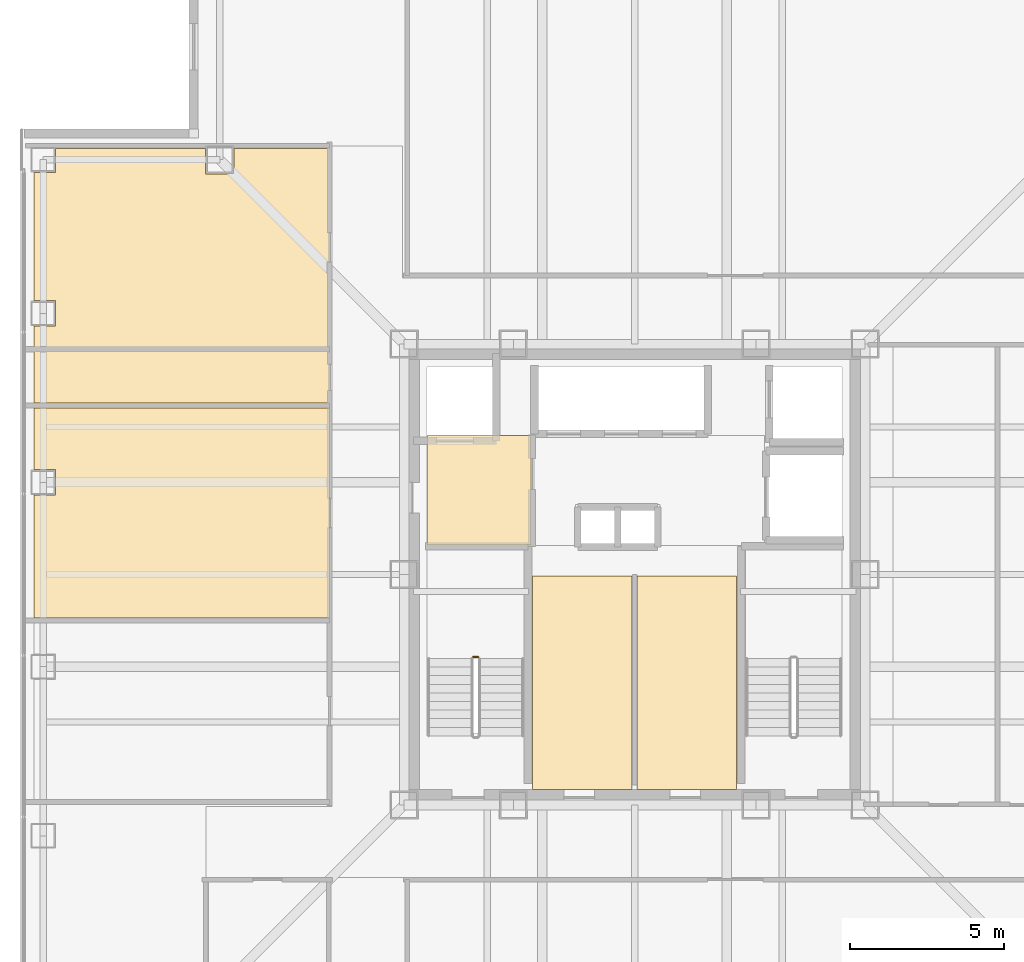
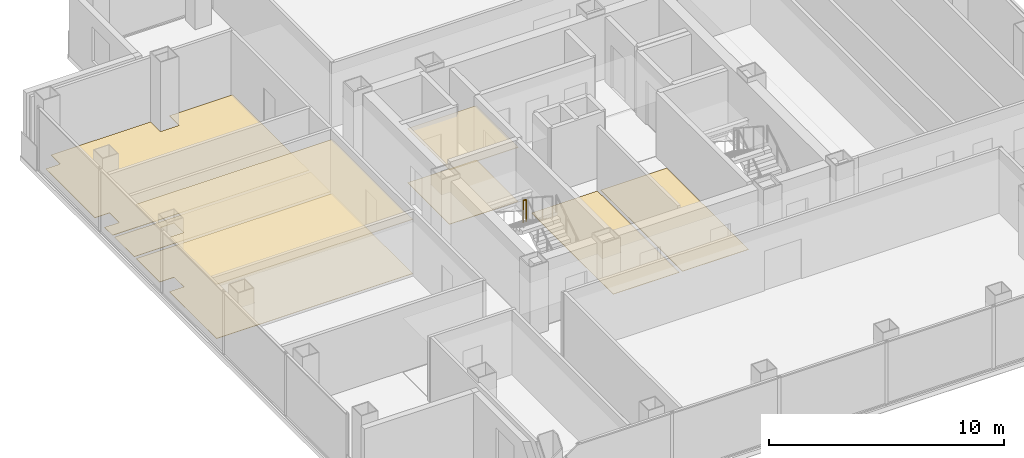
# One storey, part 14 of 17: 8 coverings, 1 railing.
"""IFC4 building model written with IfcOpenShell, lengths in metres."""

from ifc_helpers import new_model, si_unit, direction, frame, origin, origin_2d, place, context, subcontext, project, spatial, polyline, circle, outline, extrude, material, layer, layer_set, type_object, element, save


model = new_model("IFC4")

# Units and contexts
model_context = context("Model", 3, precision=1e-05, world=origin(), true_north=direction((0.0, 1.0)))
body_context = subcontext(model_context, "Body", "Model", "MODEL_VIEW")
ifc_project = project(units=[si_unit("LENGTHUNIT", "METRE"), si_unit("AREAUNIT", "SQUARE_METRE"), si_unit("VOLUMEUNIT", "CUBIC_METRE"), si_unit("PLANEANGLEUNIT", "RADIAN"), si_unit("MASSUNIT", "GRAM", prefix="KILO")], contexts=[model_context])

# Site, building, storey
site_placement = place(None, origin())
site = spatial("IfcSite", under=ifc_project, at=site_placement, CompositionType="ELEMENT")
building_placement = place(site_placement, origin())
building = spatial("IfcBuilding", under=site, at=building_placement, Name="Trevonay Congress Spire", CompositionType="ELEMENT")
storey_placement = place(building_placement, frame((0.0, 0.0, 209.39990234375)))
storey = spatial("IfcBuildingStorey", under=building, at=storey_placement, Name="L54", CompositionType="ELEMENT", Elevation=209.39990234375)

# Coverings
ifc_material_1 = material(Name="Acoustic Mineral Fibre Board", Category="gypsum")
ifc_layer_1 = layer(ifc_material_1, 0.02490234375, Name="Acoustic Mineral Fibre Board")
ifc_layer_set_1 = layer_set([ifc_layer_1], Name="Acoustic Mineral Fibre Board")
covering_type_1 = type_object("IfcCoveringType", Name="COV-CEIL-ACOUSTIC", PredefinedType="CEILING", material=ifc_layer_set_1)
covering_1_placement = place(storey_placement, frame((0.0, 0.0, 2.81005859375)))
element("IfcCovering", 1, at=covering_1_placement, inside=storey, type_object=covering_type_1, Name="L54 Firefighting Lift Lobby West acoustic suspended ceiling", PredefinedType="CEILING", context=body_context, shape_type="SweptSolid", body=[
    extrude(outline(polyline([(-6.75, 0.9599609375), (-3.3798828125, 0.9599609375), (-3.3798828125, 4.52001953125), (-6.75, 4.52001953125), (-6.75, 0.9599609375)])), origin(), (0.0, 0.0, 1.0), 0.025146484375),
])
covering_2_placement = place(storey_placement, frame((0.0, 0.0, 2.81005859375)))
element("IfcCovering", 2, at=covering_2_placement, inside=storey, type_object=covering_type_1, Name="L54 Spa Treatment Lounge acoustic suspended ceiling", PredefinedType="CEILING", context=body_context, shape_type="SweptSolid", body=[
    extrude(outline(polyline([(-19.550048828125, 5.419921875), (-9.929931640625, 5.419921875), (-9.929931640625, -1.419921875), (-19.550048828125, -1.419921875), (-19.550048828125, 2.590087890625), (-18.840087890625, 2.590087890625), (-18.840087890625, 3.409912109375), (-19.550048828125, 3.409912109375), (-19.550048828125, 5.419921875)])), origin(), (0.0, 0.0, 1.0), 0.025146484375),
])
ifc_material_2 = material(Name="Polished Granite Floor Tile", Category="masonry")
ifc_layer_2 = layer(ifc_material_2, 0.02001953125, Name="Polished Granite Floor Tile")
ifc_layer_set_2 = layer_set([ifc_layer_2], Name="Polished Granite Floor Tile")
covering_type_2 = type_object("IfcCoveringType", Name="COV-FLOOR-STONE", PredefinedType="FLOORING", material=ifc_layer_set_2)
covering_3_placement = place(storey_placement, origin())
element("IfcCovering", 3, at=covering_3_placement, inside=storey, type_object=covering_type_2, Name="L54 Firefighting Lift Lobby West floor finish", PredefinedType="FLOORING", context=body_context, shape_type="SweptSolid", body=[
    extrude(outline(polyline([(-6.75, 0.9599609375), (-3.3798828125, 0.9599609375), (-3.3798828125, 4.52001953125), (-6.75, 4.52001953125), (-6.75, 0.9599609375)])), origin(), (0.0, 0.0, 1.0), 0.02001953125),
])
covering_4_placement = place(storey_placement, origin())
element("IfcCovering", 4, at=covering_4_placement, inside=storey, type_object=covering_type_2, Name="L54 Core Server and IT Hub floor finish", PredefinedType="FLOORING", context=body_context, shape_type="SweptSolid", body=[
    extrude(outline(polyline([(-3.320068359375, -7.0), (-0.080078125, -7.0), (-0.080078125, -0.050048828125), (-3.320068359375, -0.050048828125), (-3.320068359375, -7.0)])), origin(), (0.0, 0.0, 1.0), 0.02001953125),
])
covering_5_placement = place(storey_placement, origin())
element("IfcCovering", 5, at=covering_5_placement, inside=storey, type_object=covering_type_2, Name="L54 Core Document Archive Room floor finish", PredefinedType="FLOORING", context=body_context, shape_type="SweptSolid", body=[
    extrude(outline(polyline([(0.080078125, -7.0), (3.320068359375, -7.0), (3.320068359375, -0.050048828125), (0.080078125, -0.050048828125), (0.080078125, -7.0)])), origin(), (0.0, 0.0, 1.0), 0.02001953125),
])
covering_6_placement = place(storey_placement, origin())
element("IfcCovering", 6, at=covering_6_placement, inside=storey, type_object=covering_type_2, Name="L54 Accessible WC floor finish", PredefinedType="FLOORING", context=body_context, shape_type="SweptSolid", body=[
    extrude(outline(polyline([(-19.550048828125, 5.580078125), (-9.929931640625, 5.580078125), (-9.929931640625, 7.25), (-19.550048828125, 7.25), (-19.550048828125, 5.580078125)])), origin(), (0.0, 0.0, 1.0), 0.02001953125),
])
covering_7_placement = place(storey_placement, origin())
element("IfcCovering", 7, at=covering_7_placement, inside=storey, type_object=covering_type_2, Name="L54 Floor Supplies and Copy Room floor finish", PredefinedType="FLOORING", context=body_context, shape_type="SweptSolid", body=[
    extrude(outline(polyline([(-9.929931640625, 13.8701171875), (-9.929931640625, 7.409912109375), (-19.550048828125, 7.409912109375), (-19.550048828125, 8.090087890625), (-18.840087890625, 8.090087890625), (-18.840087890625, 8.909912109375), (-19.550048828125, 8.909912109375), (-19.550048828125, 13.090087890625), (-18.840087890625, 13.090087890625), (-18.840087890625, 13.8701171875), (-13.9599609375, 13.8701171875), (-13.9599609375, 13.0400390625), (-13.0400390625, 13.0400390625), (-13.0400390625, 13.8701171875), (-9.929931640625, 13.8701171875)])), origin(), (0.0, 0.0, 1.0), 0.02001953125),
])
ifc_material_3 = material(Name="Engineered Oak Flooring", Category="wood")
ifc_layer_3 = layer(ifc_material_3, 0.01806640625, Name="Engineered Oak Flooring")
ifc_layer_set_3 = layer_set([ifc_layer_3], Name="Engineered Oak Flooring")
covering_type_3 = type_object("IfcCoveringType", Name="COV-FLOOR-TIMBER", PredefinedType="FLOORING", material=ifc_layer_set_3)
covering_8_placement = place(storey_placement, origin())
element("IfcCovering", 8, at=covering_8_placement, inside=storey, type_object=covering_type_3, Name="L54 Spa Treatment Lounge floor finish", PredefinedType="FLOORING", context=body_context, shape_type="SweptSolid", body=[
    extrude(outline(polyline([(-19.550048828125, 5.419921875), (-9.929931640625, 5.419921875), (-9.929931640625, -1.419921875), (-19.550048828125, -1.419921875), (-19.550048828125, 2.590087890625), (-18.840087890625, 2.590087890625), (-18.840087890625, 3.409912109375), (-19.550048828125, 3.409912109375), (-19.550048828125, 5.419921875)])), origin(), (0.0, 0.0, 1.0), 0.01806640625),
])

# Railing
ifc_material_4 = material(Name="Pale Anodised Aluminium EN AW-6063-T6", Category="aluminium")
railing_type = type_object("IfcRailingType", Name="RAL-STAIR-GUARD-110", PredefinedType="GUARDRAIL", material=ifc_material_4)
railing_placement = place(storey_placement, frame((-5.10009765625, -2.679931640625, 1.800048828125)))
element("IfcRailing", 9, at=railing_placement, inside=storey, type_object=railing_type, Name="L54 ST-1 stair guard 2", PredefinedType="GUARDRAIL", context=body_context, shape_type="SweptSolid", body=[
    extrude(circle(Radius=0.02392578125, at=origin_2d()), frame((0.0, 0.0, 1.1259765625), z_axis=(-1.0, 0.0, 0.0), x_axis=(0.0, -1.0, 0.0)), (0.0, 0.0, 1.0), 0.14990234375),
    extrude(circle(Radius=0.02099609375, at=origin_2d()), origin(), (0.0, 0.0, 1.0), 1.101806640625),
    extrude(circle(Radius=0.02099609375, at=origin_2d()), frame((-0.14990234375, 0.0, 0.0)), (0.0, 0.0, 1.0), 1.101806640625),
])

save(model, "model.ifc")
